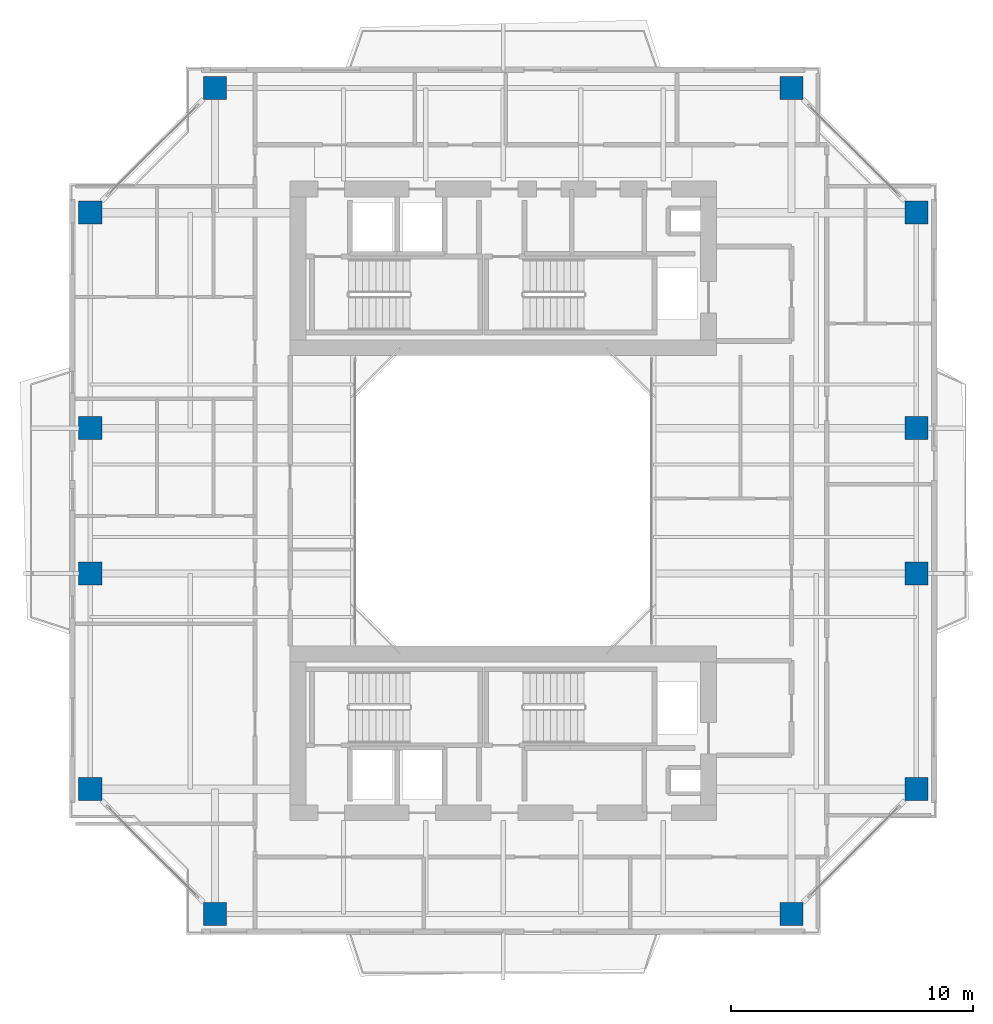
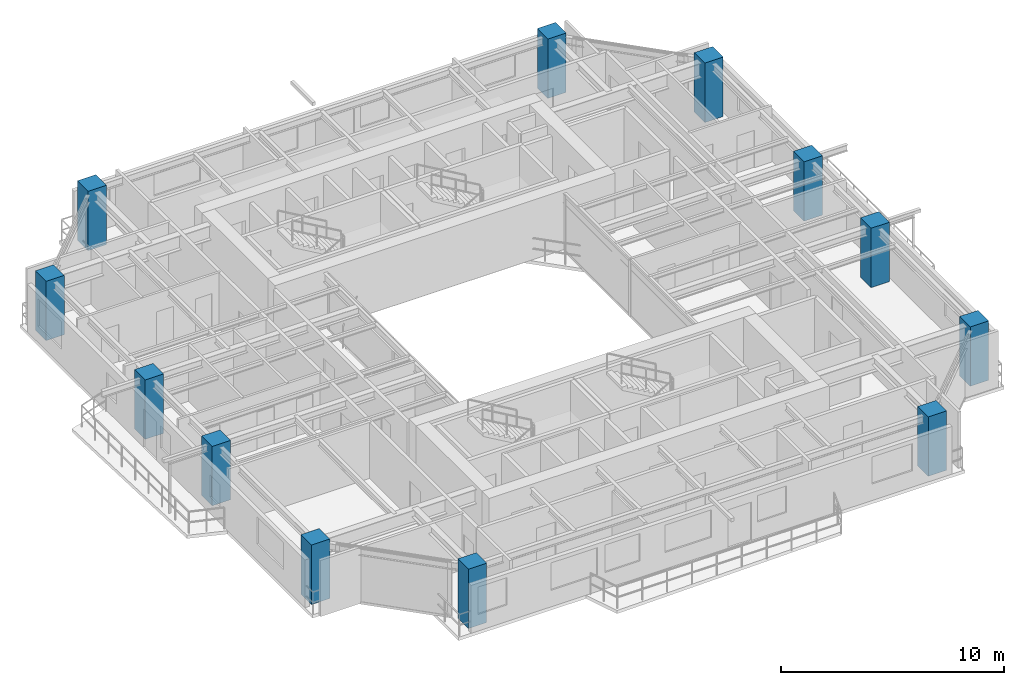
# One storey, part 1 of 18: 12 columns.
"""IFC4 building model written with IfcOpenShell, lengths in metres."""

from ifc_helpers import new_model, si_unit, direction, frame, origin, origin_2d, place, context, subcontext, project, spatial, rectangle, extrude, source, transform, mapped, material, material_profile, profile_set, type_object, element, save


model = new_model("IFC4")

# Units and contexts
model_context = context("Model", 3, precision=1e-05, world=origin(), true_north=direction((0.0, 1.0)))
body_context = subcontext(model_context, "Body", "Model", "MODEL_VIEW")
ifc_project = project(units=[si_unit("LENGTHUNIT", "METRE"), si_unit("AREAUNIT", "SQUARE_METRE"), si_unit("VOLUMEUNIT", "CUBIC_METRE"), si_unit("PLANEANGLEUNIT", "RADIAN"), si_unit("MASSUNIT", "GRAM", prefix="KILO"), si_unit("THERMODYNAMICTEMPERATUREUNIT", "KELVIN"), si_unit("POWERUNIT", "WATT")], contexts=[model_context])

# Site, building, storey
site_placement = place(None, origin())
site = spatial("IfcSite", under=ifc_project, at=site_placement, CompositionType="ELEMENT")
building_placement = place(site_placement, origin())
building = spatial("IfcBuilding", under=site, at=building_placement, Name="Qiaomeng Ring Towers", CompositionType="ELEMENT")
storey_placement = place(building_placement, frame((0.0, 0.0, 147.0)))
storey = spatial("IfcBuildingStorey", under=building, at=storey_placement, Name="L42", CompositionType="ELEMENT", Elevation=147.0)

# Columns
ifc_material = material(Name="Concrete C50", Category="concrete")
ifc_material_profile = material_profile(ifc_material, rectangle(XDim=0.949951171875, YDim=0.949951171875, at=origin_2d()), Name="RC COL 950x950")
ifc_profile_set = profile_set([ifc_material_profile], Name="Concrete C50")
column_type = type_object("IfcColumnType", Name="STR-COL-950-C50", PredefinedType="COLUMN", material=ifc_profile_set)
shared_shape = source(origin(), body_context, "Body", "SweptSolid", [
    extrude(rectangle(XDim=0.949951171875, YDim=0.949951171875, at=origin_2d()), origin(), (0.0, 0.0, 1.0), 3.25),
])
for number, where, z_axis, x_axis, name in (
    (1, (7.10009765625, 5.949951171875, 0.0), (0.0, 0.0, 1.0), (1.0, 0.0, 0.0), "L42 column STR-COL-L42-T1-S1"),
    (2, (30.89990234375, 5.949951171875, 0.0), (0.0, 0.0, 1.0), (1.0, 0.0, 0.0), "L42 column STR-COL-L42-T1-S2"),
    (3, (36.050048828125, 11.10009765625, 0.0), (0.0, 0.0, 1.0), (1.0, 0.0, 0.0), "L42 column STR-COL-L42-T1-E1"),
    (4, (36.050048828125, 20.0, 0.0), (0.0, 0.0, 1.0), (1.0, 0.0, 0.0), "L42 column STR-COL-L42-T1-E2"),
    (5, (36.050048828125, 26.0, 0.0), (0.0, 0.0, 1.0), (1.0, 0.0, 0.0), "L42 column STR-COL-L42-T1-E3"),
    (6, (36.050048828125, 34.89990234375, 0.0), (0.0, 0.0, 1.0), (1.0, 0.0, 0.0), "L42 column STR-COL-L42-T1-E4"),
    (7, (30.89990234375, 40.050048828125, 0.0), (0.0, 0.0, 1.0), (1.0, 0.0, 0.0), "L42 column STR-COL-L42-T1-N2"),
    (8, (7.10009765625, 40.050048828125, 0.0), (0.0, 0.0, 1.0), (1.0, 0.0, 0.0), "L42 column STR-COL-L42-T1-N1"),
    (9, (1.949951171875, 34.89990234375, 0.0), (0.0, 0.0, 1.0), (1.0, 0.0, 0.0), "L42 column STR-COL-L42-T1-W4"),
    (10, (1.949951171875, 26.0, 0.0), (0.0, 0.0, 1.0), (1.0, 0.0, 0.0), "L42 column STR-COL-L42-T1-W3"),
    (11, (1.949951171875, 20.0, 0.0), (0.0, 0.0, 1.0), (1.0, 0.0, 0.0), "L42 column STR-COL-L42-T1-W2"),
    (12, (1.949951171875, 11.10009765625, 0.0), (0.0, 0.0, 1.0), (1.0, 0.0, 0.0), "L42 column STR-COL-L42-T1-W1"),
):
    element("IfcColumn", number, at=place(storey_placement, frame(where, z_axis=z_axis, x_axis=x_axis)), inside=storey, type_object=column_type, Name=name, PredefinedType="COLUMN", context=body_context, shape_type="MappedRepresentation", body=[
        mapped(shared_shape, transform((0.0, 0.0, 0.0), x_axis=(1.0, 0.0, 0.0), y_axis=(0.0, 1.0, 0.0), z_axis=(0.0, 0.0, 1.0), scale=1.0)),
    ])

save(model, "model.ifc")
